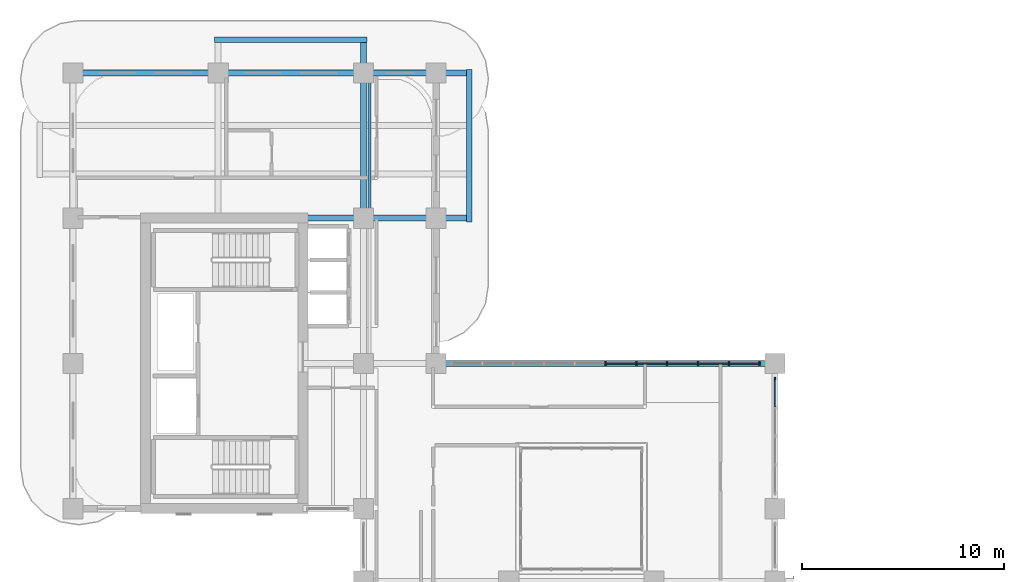
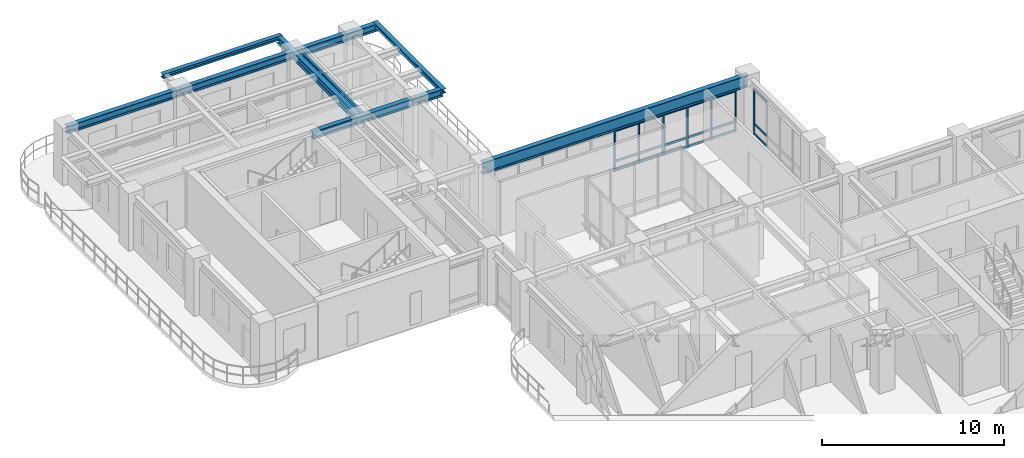
# One storey, part 6 of 20: 25 members, 8 beams, 2 elements without a shape of their own.
"""IFC4 building model written with IfcOpenShell, lengths in metres."""

from ifc_helpers import new_model, si_unit, derived_unit, direction, frame, origin, origin_2d, place, context, subcontext, project, spatial, rectangle, i_section, extrude, source, transform, mapped, material, layer, layer_set, material_profile, profile_set, type_object, type_shapes, element, aggregate, save


model = new_model("IFC4")

# Units and contexts
model_context = context("Model", 3, precision=1e-05, world=origin(), true_north=direction((0.0, 1.0)))
body_context = subcontext(model_context, "Body", "Model", "MODEL_VIEW")
ifc_project = project(units=[si_unit("LENGTHUNIT", "METRE"), si_unit("AREAUNIT", "SQUARE_METRE"), si_unit("VOLUMEUNIT", "CUBIC_METRE"), si_unit("PLANEANGLEUNIT", "RADIAN"), si_unit("MASSUNIT", "GRAM", prefix="KILO"), si_unit("THERMODYNAMICTEMPERATUREUNIT", "KELVIN"), si_unit("POWERUNIT", "WATT"), derived_unit("THERMALTRANSMITTANCEUNIT", [(si_unit("POWERUNIT", "WATT"), 1), (si_unit("AREAUNIT", "SQUARE_METRE"), -1), (si_unit("THERMODYNAMICTEMPERATUREUNIT", "KELVIN"), -1)])], contexts=[model_context])

# Site, building, storey
site_placement = place(None, origin())
site = spatial("IfcSite", under=ifc_project, at=site_placement, CompositionType="ELEMENT")
building_placement = place(site_placement, origin())
building = spatial("IfcBuilding", under=site, at=building_placement, Name="Zahravan Archway Hotel and Residences", CompositionType="ELEMENT")
storey_placement = place(building_placement, frame((0.0, 0.0, 161.85009765625)))
storey = spatial("IfcBuildingStorey", under=building, at=storey_placement, Name="L40", CompositionType="ELEMENT", Elevation=161.85009765625)

# Beams
ifc_material_1 = material(Name="Structural Steel S355JR", Category="steel")
ifc_material_profile_1 = material_profile(ifc_material_1, i_section(OverallWidth=0.280029296875, OverallDepth=0.280029296875, WebThickness=0.010498046875, FlangeThickness=0.01806640625, FilletRadius=0.02392578125, at=origin_2d()), Name="HEB 280", Category="steel")
ifc_profile_set_1 = profile_set([ifc_material_profile_1], Name="Structural Steel S355JR")
beam_type_1 = type_object("IfcBeamType", Name="BM-SPN-HEB280", PredefinedType="SPANDREL", material=ifc_profile_set_1)
shared_shape_1 = source(origin(), body_context, "Body", "SweptSolid", [
    extrude(i_section(OverallWidth=0.280029296875, OverallDepth=0.280029296875, WebThickness=0.010498046875, FlangeThickness=0.01806640625, FilletRadius=0.02392578125, at=origin_2d()), origin(), (0.0, 0.0, 1.0), 7.56005859375),
])
type_shapes(beam_type_1, [shared_shape_1])
for number, where, z_axis, x_axis, name in (
    (1, (19.64990234375, 39.419921875, 3.4599609375), (0.0, 1.0, 0.0), (-1.0, 0.0, 0.0), "L41 EB Balcony Edge Spandrel"),
    (2, (7.02001953125, 48.449951171875, 3.4599609375), (1.0, 0.0, 0.0), (0.0, 1.0, 0.0), "L41 NB Balcony Edge Spandrel"),
):
    element("IfcBeam", number, at=place(storey_placement, frame(where, z_axis=z_axis, x_axis=x_axis)), inside=storey, type_object=beam_type_1, Name=name, PredefinedType="SPANDREL", context=body_context, shape_type="MappedRepresentation", body=[
        mapped(shared_shape_1, transform((0.0, 0.0, 0.0), scale=1.0)),
    ])
ifc_material_2 = material(Name="Structural Steel S355J2", Category="steel")
ifc_material_profile_2 = material_profile(ifc_material_2, i_section(OverallWidth=0.300048828125, OverallDepth=0.800048828125, WebThickness=0.017578125, FlangeThickness=0.032958984375, FilletRadius=0.030029296875, at=origin_2d()), Name="HEB 800", Category="steel")
ifc_profile_set_2 = profile_set([ifc_material_profile_2], Name="Structural Steel S355J2")
beam_type_2 = type_object("IfcBeamType", Name="BM-PRI-HEB800", PredefinedType="BEAM", material=ifc_profile_set_2)
shared_shape_2 = source(origin(), body_context, "Body", "SweptSolid", [
    extrude(i_section(OverallWidth=0.300048828125, OverallDepth=0.800048828125, WebThickness=0.017578125, FlangeThickness=0.032958984375, FilletRadius=0.030029296875, at=origin_2d()), origin(), (0.0, 0.0, 1.0), 16.800048828125),
])
type_shapes(beam_type_2, [shared_shape_2])
beam_1_placement = place(storey_placement, frame((18.0, 32.39990234375, 3.199951171875), z_axis=(1.0, 0.0, 0.0), x_axis=(0.0, 1.0, 0.0)))
element("IfcBeam", 3, at=beam_1_placement, inside=storey, type_object=beam_type_2, Name="L40 Primary Girder EW-18", PredefinedType="BEAM", context=body_context, shape_type="MappedRepresentation", body=[
    mapped(shared_shape_2, transform((0.0, 0.0, 0.0), scale=1.0)),
])
ifc_material_profile_3 = material_profile(ifc_material_1, i_section(OverallWidth=0.300048828125, OverallDepth=0.5, WebThickness=0.014404296875, FlangeThickness=0.028076171875, FilletRadius=0.027099609375, at=origin_2d()), Name="HEB 500", Category="steel")
ifc_profile_set_3 = profile_set([ifc_material_profile_3], Name="Structural Steel S355JR")
beam_type_3 = type_object("IfcBeamType", Name="BM-PRI-HEB500", PredefinedType="BEAM", material=ifc_profile_set_3)
shared_shape_3 = source(origin(), body_context, "Body", "SweptSolid", [
    extrude(i_section(OverallWidth=0.300048828125, OverallDepth=0.5, WebThickness=0.014404296875, FlangeThickness=0.028076171875, FilletRadius=0.027099609375, at=origin_2d()), origin(), (0.0, 0.0, 1.0), 7.199951171875),
])
beam_2_placement = place(storey_placement, frame((0.0, 46.800048828125, 3.349853515625), z_axis=(1.0, 0.0, 0.0), x_axis=(0.0, 1.0, 0.0)))
element("IfcBeam", 4, at=beam_2_placement, inside=storey, type_object=beam_type_3, Name="L40 Primary Girder EW-20", PredefinedType="BEAM", context=body_context, shape_type="MappedRepresentation", body=[
    mapped(shared_shape_3, transform((0.0, 0.0, 0.0), scale=1.0)),
])
shared_shape_4 = source(origin(), body_context, "Body", "SweptSolid", [
    extrude(i_section(OverallWidth=0.300048828125, OverallDepth=0.5, WebThickness=0.014404296875, FlangeThickness=0.028076171875, FilletRadius=0.027099609375, at=origin_2d()), origin(), (0.0, 0.0, 1.0), 8.25),
])
beam_3_placement = place(storey_placement, frame((11.39990234375, 39.60009765625, 3.349853515625), z_axis=(1.0, 0.0, 0.0), x_axis=(0.0, 1.0, 0.0)))
element("IfcBeam", 5, at=beam_3_placement, inside=storey, type_object=beam_type_3, Name="L40 Primary Girder EW-19", PredefinedType="BEAM", context=body_context, shape_type="MappedRepresentation", body=[
    mapped(shared_shape_4, transform((0.0, 0.0, 0.0), scale=1.0)),
])
shared_shape_5 = source(origin(), body_context, "Body", "SweptSolid", [
    extrude(i_section(OverallWidth=0.300048828125, OverallDepth=0.5, WebThickness=0.014404296875, FlangeThickness=0.028076171875, FilletRadius=0.027099609375, at=origin_2d()), origin(), (0.0, 0.0, 1.0), 12.449951171875),
])
beam_4_placement = place(storey_placement, frame((7.199951171875, 46.800048828125, 3.349853515625), z_axis=(1.0, 0.0, 0.0), x_axis=(0.0, 1.0, 0.0)))
element("IfcBeam", 6, at=beam_4_placement, inside=storey, type_object=beam_type_3, Name="L40 Primary Girder EW-21", PredefinedType="BEAM", context=body_context, shape_type="MappedRepresentation", body=[
    mapped(shared_shape_5, transform((0.0, 0.0, 0.0), scale=1.0)),
])
shared_shape_6 = source(origin(), body_context, "Body", "SweptSolid", [
    extrude(i_section(OverallWidth=0.300048828125, OverallDepth=0.5, WebThickness=0.014404296875, FlangeThickness=0.028076171875, FilletRadius=0.027099609375, at=origin_2d()), origin(), (0.0, 0.0, 1.0), 8.849853515625),
])
beam_5_placement = place(storey_placement, frame((14.39990234375, 39.60009765625, 3.349853515625), z_axis=(0.0, 1.0, 0.0), x_axis=(-1.0, 0.0, 0.0)))
element("IfcBeam", 7, at=beam_5_placement, inside=storey, type_object=beam_type_3, Name="L40 Primary Girder NS-34", PredefinedType="BEAM", context=body_context, shape_type="MappedRepresentation", body=[
    mapped(shared_shape_6, transform((0.0, 0.0, 0.0), scale=1.0)),
])
ifc_material_profile_4 = material_profile(ifc_material_1, i_section(OverallWidth=0.14990234375, OverallDepth=0.300048828125, WebThickness=0.007080078125, FlangeThickness=0.0107421875, FilletRadius=0.014892578125, at=origin_2d()), Name="IPE 300", Category="steel")
ifc_profile_set_4 = profile_set([ifc_material_profile_4], Name="Structural Steel S355JR")
beam_type_4 = type_object("IfcBeamType", Name="BM-JST-IPE300", PredefinedType="JOIST", material=ifc_profile_set_4)
shared_shape_7 = source(origin(), body_context, "Body", "SweptSolid", [
    extrude(i_section(OverallWidth=0.14990234375, OverallDepth=0.300048828125, WebThickness=0.007080078125, FlangeThickness=0.0107421875, FilletRadius=0.014892578125, at=origin_2d()), origin(), (0.0, 0.0, 1.0), 6.904052734375),
])
type_shapes(beam_type_4, [shared_shape_7])
beam_6_placement = place(storey_placement, frame((14.699951171875, 39.748046875, 3.449951171875), z_axis=(0.0, 1.0, 0.0), x_axis=(-1.0, 0.0, 0.0)))
element("IfcBeam", 8, at=beam_6_placement, inside=storey, type_object=beam_type_4, Name="L40 Composite Floor Joist 12", PredefinedType="JOIST", context=body_context, shape_type="MappedRepresentation", body=[
    mapped(shared_shape_7, transform((0.0, 0.0, 0.0), scale=1.0)),
])

# Curtain wall, members
ifc_material_3 = material(Name="Bronze-Anodized Unitised Aluminium & Low-E Glass", Category="aluminium")
ifc_layer = layer(ifc_material_3, 0.179931640625, Name="Bronze-Anodized Unitised Aluminium & Low-E Glass", Category="aluminium")
ifc_layer_set = layer_set([ifc_layer], Name="Bronze-Anodized Unitised Aluminium & Low-E Glass")
curtain_wall_type = type_object("IfcCurtainWallType", Name="CW-TWR-FEAT", PredefinedType="NOTDEFINED", material=ifc_layer_set)
curtain_wall_1_placement = place(storey_placement, origin())
curtain_wall_1 = element("IfcCurtainWall", 9, at=curtain_wall_1_placement, inside=storey, type_object=curtain_wall_type, Name="L40 Curtain Wall CW-L40-HNG-E-2", PredefinedType="NOTDEFINED")
ifc_material_4 = material(Name="Bronze-Anodized Extruded Aluminium", Category="aluminium")
ifc_material_profile_5 = material_profile(ifc_material_4, rectangle(XDim=0.080078125, YDim=0.139892578125, at=origin_2d()), Name="TRN 80x140", Category="aluminium")
ifc_profile_set_5 = profile_set([ifc_material_profile_5], Name="Bronze-Anodized Extruded Aluminium")
member_type_1 = type_object("IfcMemberType", Name="CWM-TRN-140", PredefinedType="USERDEFINED", material=ifc_profile_set_5)
shared_shape_8 = source(origin(), body_context, "Body", "SweptSolid", [
    extrude(rectangle(XDim=0.080078125, YDim=0.139892578125, at=origin_2d()), origin(), (0.0, 0.0, 1.0), 1.340087890625),
])
member_1_placement = place(storey_placement, frame((34.800048828125, 30.260009765625, 0.06982421875), z_axis=(0.0, 1.0, 0.0), x_axis=(-1.0, 0.0, 0.0)))
member_1 = element("IfcMember", 10, at=member_1_placement, type_object=member_type_1, Name="CW-L40-HNG-E-2 Transom 3-1", ObjectType="TRANSOM", PredefinedType="USERDEFINED", context=body_context, shape_type="MappedRepresentation", body=[
    mapped(shared_shape_8, transform((0.0, 0.0, 0.0), scale=1.0)),
])
member_2_placement = place(storey_placement, frame((34.800048828125, 30.260009765625, 0.740234375), z_axis=(0.0, 1.0, 0.0), x_axis=(-1.0, 0.0, 0.0)))
member_2 = element("IfcMember", 11, at=member_2_placement, type_object=member_type_1, Name="CW-L40-HNG-E-2 Transom 3-2", ObjectType="TRANSOM", PredefinedType="USERDEFINED", context=body_context, shape_type="MappedRepresentation", body=[
    mapped(shared_shape_8, transform((0.0, 0.0, 0.0), scale=1.0)),
])
member_3_placement = place(storey_placement, frame((34.800048828125, 30.260009765625, 3.014892578125), z_axis=(0.0, 1.0, 0.0), x_axis=(-1.0, 0.0, 0.0)))
member_3 = element("IfcMember", 12, at=member_3_placement, type_object=member_type_1, Name="CW-L40-HNG-E-2 Transom 3-3", ObjectType="TRANSOM", PredefinedType="USERDEFINED", context=body_context, shape_type="MappedRepresentation", body=[
    mapped(shared_shape_8, transform((0.0, 0.0, 0.0), scale=1.0)),
])

curtain_wall_2_placement = place(storey_placement, origin())
curtain_wall_2 = element("IfcCurtainWall", 13, at=curtain_wall_2_placement, inside=storey, type_object=curtain_wall_type, Name="L40 Curtain Wall CW-L40-HNG-N-1", PredefinedType="NOTDEFINED")
shared_shape_9 = source(origin(), body_context, "Body", "SweptSolid", [
    extrude(rectangle(XDim=0.080078125, YDim=0.139892578125, at=origin_2d()), origin(), (0.0, 0.0, 1.0), 1.447998046875),
])
member_4_placement = place(storey_placement, frame((26.43994140625, 32.39990234375, 0.06982421875), z_axis=(1.0, 0.0, 0.0), x_axis=(0.0, 1.0, 0.0)))
member_4 = element("IfcMember", 14, at=member_4_placement, type_object=member_type_1, Name="CW-L40-HNG-N-1 Transom 5-1", ObjectType="TRANSOM", PredefinedType="USERDEFINED", context=body_context, shape_type="MappedRepresentation", body=[
    mapped(shared_shape_9, transform((0.0, 0.0, 0.0), scale=1.0)),
])
member_5_placement = place(storey_placement, frame((26.43994140625, 32.39990234375, 0.668212890625), z_axis=(1.0, 0.0, 0.0), x_axis=(0.0, 1.0, 0.0)))
member_5 = element("IfcMember", 15, at=member_5_placement, type_object=member_type_1, Name="CW-L40-HNG-N-1 Transom 5-2", ObjectType="TRANSOM", PredefinedType="USERDEFINED", context=body_context, shape_type="MappedRepresentation", body=[
    mapped(shared_shape_9, transform((0.0, 0.0, 0.0), scale=1.0)),
])
member_6_placement = place(storey_placement, frame((26.43994140625, 32.39990234375, 2.71484375), z_axis=(1.0, 0.0, 0.0), x_axis=(0.0, 1.0, 0.0)))
member_6 = element("IfcMember", 16, at=member_6_placement, type_object=member_type_1, Name="CW-L40-HNG-N-1 Transom 5-3", ObjectType="TRANSOM", PredefinedType="USERDEFINED", context=body_context, shape_type="MappedRepresentation", body=[
    mapped(shared_shape_9, transform((0.0, 0.0, 0.0), scale=1.0)),
])
member_7_placement = place(storey_placement, frame((27.968017578125, 32.39990234375, 0.06982421875), z_axis=(1.0, 0.0, 0.0), x_axis=(0.0, 1.0, 0.0)))
member_7 = element("IfcMember", 17, at=member_7_placement, type_object=member_type_1, Name="CW-L40-HNG-N-1 Transom 6-1", ObjectType="TRANSOM", PredefinedType="USERDEFINED", context=body_context, shape_type="MappedRepresentation", body=[
    mapped(shared_shape_9, transform((0.0, 0.0, 0.0), scale=1.0)),
])
member_8_placement = place(storey_placement, frame((27.968017578125, 32.39990234375, 0.668212890625), z_axis=(1.0, 0.0, 0.0), x_axis=(0.0, 1.0, 0.0)))
member_8 = element("IfcMember", 18, at=member_8_placement, type_object=member_type_1, Name="CW-L40-HNG-N-1 Transom 6-2", ObjectType="TRANSOM", PredefinedType="USERDEFINED", context=body_context, shape_type="MappedRepresentation", body=[
    mapped(shared_shape_9, transform((0.0, 0.0, 0.0), scale=1.0)),
])
member_9_placement = place(storey_placement, frame((27.968017578125, 32.39990234375, 2.71484375), z_axis=(1.0, 0.0, 0.0), x_axis=(0.0, 1.0, 0.0)))
member_9 = element("IfcMember", 19, at=member_9_placement, type_object=member_type_1, Name="CW-L40-HNG-N-1 Transom 6-3", ObjectType="TRANSOM", PredefinedType="USERDEFINED", context=body_context, shape_type="MappedRepresentation", body=[
    mapped(shared_shape_9, transform((0.0, 0.0, 0.0), scale=1.0)),
])
member_10_placement = place(storey_placement, frame((29.49609375, 32.39990234375, 0.06982421875), z_axis=(1.0, 0.0, 0.0), x_axis=(0.0, 1.0, 0.0)))
member_10 = element("IfcMember", 20, at=member_10_placement, type_object=member_type_1, Name="CW-L40-HNG-N-1 Transom 7-1", ObjectType="TRANSOM", PredefinedType="USERDEFINED", context=body_context, shape_type="MappedRepresentation", body=[
    mapped(shared_shape_9, transform((0.0, 0.0, 0.0), scale=1.0)),
])
member_11_placement = place(storey_placement, frame((29.49609375, 32.39990234375, 0.668212890625), z_axis=(1.0, 0.0, 0.0), x_axis=(0.0, 1.0, 0.0)))
member_11 = element("IfcMember", 21, at=member_11_placement, type_object=member_type_1, Name="CW-L40-HNG-N-1 Transom 7-2", ObjectType="TRANSOM", PredefinedType="USERDEFINED", context=body_context, shape_type="MappedRepresentation", body=[
    mapped(shared_shape_9, transform((0.0, 0.0, 0.0), scale=1.0)),
])
member_12_placement = place(storey_placement, frame((29.49609375, 32.39990234375, 2.71484375), z_axis=(1.0, 0.0, 0.0), x_axis=(0.0, 1.0, 0.0)))
member_12 = element("IfcMember", 22, at=member_12_placement, type_object=member_type_1, Name="CW-L40-HNG-N-1 Transom 7-3", ObjectType="TRANSOM", PredefinedType="USERDEFINED", context=body_context, shape_type="MappedRepresentation", body=[
    mapped(shared_shape_9, transform((0.0, 0.0, 0.0), scale=1.0)),
])
member_13_placement = place(storey_placement, frame((31.02392578125, 32.39990234375, 0.06982421875), z_axis=(1.0, 0.0, 0.0), x_axis=(0.0, 1.0, 0.0)))
member_13 = element("IfcMember", 23, at=member_13_placement, type_object=member_type_1, Name="CW-L40-HNG-N-1 Transom 8-1", ObjectType="TRANSOM", PredefinedType="USERDEFINED", context=body_context, shape_type="MappedRepresentation", body=[
    mapped(shared_shape_9, transform((0.0, 0.0, 0.0), scale=1.0)),
])
member_14_placement = place(storey_placement, frame((31.02392578125, 32.39990234375, 0.668212890625), z_axis=(1.0, 0.0, 0.0), x_axis=(0.0, 1.0, 0.0)))
member_14 = element("IfcMember", 24, at=member_14_placement, type_object=member_type_1, Name="CW-L40-HNG-N-1 Transom 8-2", ObjectType="TRANSOM", PredefinedType="USERDEFINED", context=body_context, shape_type="MappedRepresentation", body=[
    mapped(shared_shape_9, transform((0.0, 0.0, 0.0), scale=1.0)),
])
member_15_placement = place(storey_placement, frame((31.02392578125, 32.39990234375, 2.71484375), z_axis=(1.0, 0.0, 0.0), x_axis=(0.0, 1.0, 0.0)))
member_15 = element("IfcMember", 25, at=member_15_placement, type_object=member_type_1, Name="CW-L40-HNG-N-1 Transom 8-3", ObjectType="TRANSOM", PredefinedType="USERDEFINED", context=body_context, shape_type="MappedRepresentation", body=[
    mapped(shared_shape_9, transform((0.0, 0.0, 0.0), scale=1.0)),
])
member_16_placement = place(storey_placement, frame((32.552001953125, 32.39990234375, 0.06982421875), z_axis=(1.0, 0.0, 0.0), x_axis=(0.0, 1.0, 0.0)))
member_16 = element("IfcMember", 26, at=member_16_placement, type_object=member_type_1, Name="CW-L40-HNG-N-1 Transom 9-1", ObjectType="TRANSOM", PredefinedType="USERDEFINED", context=body_context, shape_type="MappedRepresentation", body=[
    mapped(shared_shape_9, transform((0.0, 0.0, 0.0), scale=1.0)),
])
member_17_placement = place(storey_placement, frame((32.552001953125, 32.39990234375, 0.668212890625), z_axis=(1.0, 0.0, 0.0), x_axis=(0.0, 1.0, 0.0)))
member_17 = element("IfcMember", 27, at=member_17_placement, type_object=member_type_1, Name="CW-L40-HNG-N-1 Transom 9-2", ObjectType="TRANSOM", PredefinedType="USERDEFINED", context=body_context, shape_type="MappedRepresentation", body=[
    mapped(shared_shape_9, transform((0.0, 0.0, 0.0), scale=1.0)),
])
member_18_placement = place(storey_placement, frame((32.552001953125, 32.39990234375, 2.71484375), z_axis=(1.0, 0.0, 0.0), x_axis=(0.0, 1.0, 0.0)))
member_18 = element("IfcMember", 28, at=member_18_placement, type_object=member_type_1, Name="CW-L40-HNG-N-1 Transom 9-3", ObjectType="TRANSOM", PredefinedType="USERDEFINED", context=body_context, shape_type="MappedRepresentation", body=[
    mapped(shared_shape_9, transform((0.0, 0.0, 0.0), scale=1.0)),
])

# Member
ifc_material_profile_6 = material_profile(ifc_material_4, rectangle(XDim=0.080078125, YDim=0.159912109375, at=origin_2d()), Name="MUL 80x160", Category="aluminium")
ifc_profile_set_6 = profile_set([ifc_material_profile_6], Name="Bronze-Anodized Extruded Aluminium")
member_type_2 = type_object("IfcMemberType", Name="CWM-MUL-160", PredefinedType="MULLION", material=ifc_profile_set_6)
shared_shape_10 = source(origin(), body_context, "Body", "SweptSolid", [
    extrude(rectangle(XDim=0.080078125, YDim=0.159912109375, at=origin_2d()), origin(), (0.0, 0.0, 1.0), 3.0849609375),
])
member_19_placement = place(storey_placement, frame((34.800048828125, 31.639892578125, 0.0), z_axis=(0.0, 0.0, 1.0), x_axis=(1.0, 0.0, 0.0)))
member_19 = element("IfcMember", 29, at=member_19_placement, type_object=member_type_2, Name="CW-L40-HNG-E-2 Mullion 4", PredefinedType="MULLION", context=body_context, shape_type="MappedRepresentation", body=[
    mapped(shared_shape_10, transform((0.0, 0.0, 0.0), scale=1.0)),
])

aggregate(curtain_wall_1, [member_19, member_1, member_2, member_3])

shared_shape_11 = source(origin(), body_context, "Body", "SweptSolid", [
    extrude(rectangle(XDim=0.080078125, YDim=0.159912109375, at=origin_2d()), origin(), (0.0, 0.0, 1.0), 2.784912109375),
])
member_20_placement = place(storey_placement, frame((26.39990234375, 32.39990234375, 0.0), z_axis=(0.0, 0.0, 1.0), x_axis=(1.0, 0.0, 0.0)))
member_20 = element("IfcMember", 30, at=member_20_placement, type_object=member_type_2, Name="CW-L40-HNG-N-1 Mullion 5", PredefinedType="MULLION", context=body_context, shape_type="MappedRepresentation", body=[
    mapped(shared_shape_11, transform((0.0, 0.0, 0.0), scale=1.0)),
])

member_21_placement = place(storey_placement, frame((27.927978515625, 32.39990234375, 0.0), z_axis=(0.0, 0.0, 1.0), x_axis=(1.0, 0.0, 0.0)))
member_21 = element("IfcMember", 31, at=member_21_placement, type_object=member_type_2, Name="CW-L40-HNG-N-1 Mullion 6", PredefinedType="MULLION", context=body_context, shape_type="MappedRepresentation", body=[
    mapped(shared_shape_11, transform((0.0, 0.0, 0.0), scale=1.0)),
])

member_22_placement = place(storey_placement, frame((29.4560546875, 32.39990234375, 0.0), z_axis=(0.0, 0.0, 1.0), x_axis=(1.0, 0.0, 0.0)))
member_22 = element("IfcMember", 32, at=member_22_placement, type_object=member_type_2, Name="CW-L40-HNG-N-1 Mullion 7", PredefinedType="MULLION", context=body_context, shape_type="MappedRepresentation", body=[
    mapped(shared_shape_11, transform((0.0, 0.0, 0.0), scale=1.0)),
])

member_23_placement = place(storey_placement, frame((30.98388671875, 32.39990234375, 0.0), z_axis=(0.0, 0.0, 1.0), x_axis=(1.0, 0.0, 0.0)))
member_23 = element("IfcMember", 33, at=member_23_placement, type_object=member_type_2, Name="CW-L40-HNG-N-1 Mullion 8", PredefinedType="MULLION", context=body_context, shape_type="MappedRepresentation", body=[
    mapped(shared_shape_11, transform((0.0, 0.0, 0.0), scale=1.0)),
])

member_24_placement = place(storey_placement, frame((32.511962890625, 32.39990234375, 0.0), z_axis=(0.0, 0.0, 1.0), x_axis=(1.0, 0.0, 0.0)))
member_24 = element("IfcMember", 34, at=member_24_placement, type_object=member_type_2, Name="CW-L40-HNG-N-1 Mullion 9", PredefinedType="MULLION", context=body_context, shape_type="MappedRepresentation", body=[
    mapped(shared_shape_11, transform((0.0, 0.0, 0.0), scale=1.0)),
])

member_25_placement = place(storey_placement, frame((34.0400390625, 32.39990234375, 0.0), z_axis=(0.0, 0.0, 1.0), x_axis=(1.0, 0.0, 0.0)))
member_25 = element("IfcMember", 35, at=member_25_placement, type_object=member_type_2, Name="CW-L40-HNG-N-1 Mullion 10", PredefinedType="MULLION", context=body_context, shape_type="MappedRepresentation", body=[
    mapped(shared_shape_11, transform((0.0, 0.0, 0.0), scale=1.0)),
])

aggregate(curtain_wall_2, [member_20, member_21, member_22, member_23, member_24, member_25, member_4, member_5, member_6, member_7, member_8, member_9, member_10, member_11, member_12, member_13, member_14, member_15, member_16, member_17, member_18])

save(model, "model.ifc")
